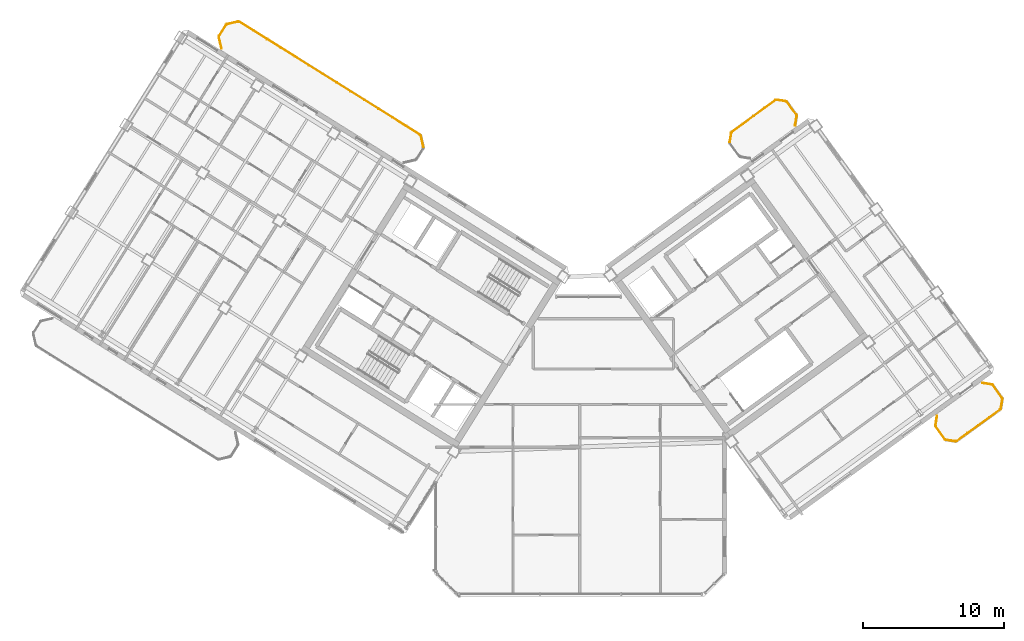
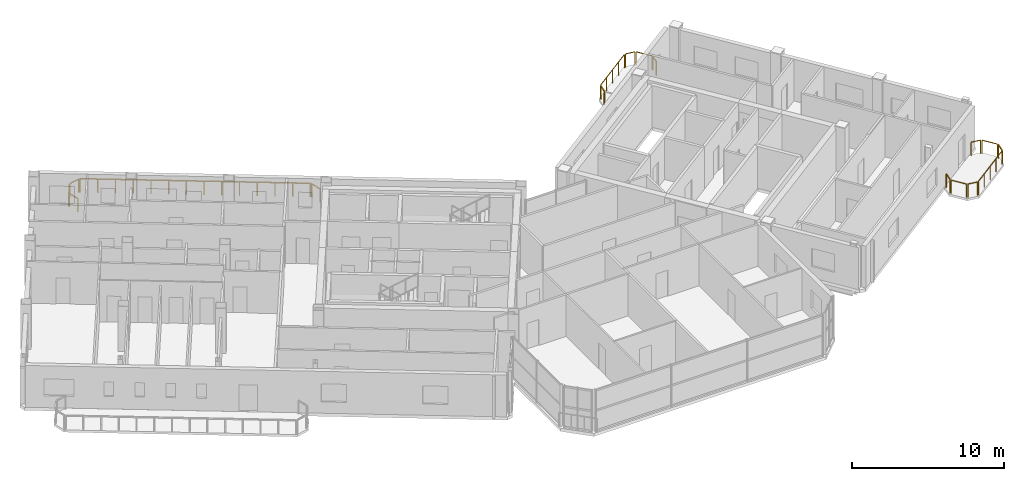
# One storey, part 25 of 25: 17 railings.
"""IFC4 building model written with IfcOpenShell, lengths in metres."""

from ifc_helpers import new_model, si_unit, direction, frame, origin, origin_2d, place, context, subcontext, project, spatial, rectangle, extrude, source, transform, mapped, material, type_object, element, save


model = new_model("IFC4")

# Units and contexts
model_context = context("Model", 3, precision=1e-05, world=origin(), true_north=direction((0.0, 1.0)))
body_context = subcontext(model_context, "Body", "Model", "MODEL_VIEW")
ifc_project = project(units=[si_unit("LENGTHUNIT", "METRE"), si_unit("AREAUNIT", "SQUARE_METRE"), si_unit("VOLUMEUNIT", "CUBIC_METRE"), si_unit("PLANEANGLEUNIT", "RADIAN"), si_unit("MASSUNIT", "GRAM", prefix="KILO")], contexts=[model_context])

# Site, building, storey
site_placement = place(None, origin())
site = spatial("IfcSite", under=ifc_project, at=site_placement, CompositionType="ELEMENT")
building_placement = place(site_placement, origin())
building = spatial("IfcBuilding", under=site, at=building_placement, Name="Tlacorven Tower", CompositionType="ELEMENT")
storey_placement = place(building_placement, frame((0.0, 0.0, 259.199951171875)))
storey = spatial("IfcBuildingStorey", under=building, at=storey_placement, Name="L65", CompositionType="ELEMENT", Elevation=259.199951171875)

# Railings
ifc_material = material(Name="Aluminium and painted steel balustrade", Category="steel")
railing_type = type_object("IfcRailingType", Name="RL-BAL-1100", PredefinedType="BALUSTRADE", material=ifc_material)
shared_shape_1 = source(origin(), body_context, "Body", "SweptSolid", [
    extrude(rectangle(XDim=0.048095703125, YDim=0.048095703125, at=origin_2d()), frame((0.0, 0.0, 1.076171875), z_axis=(0.225058334816, -0.974345290916, 0.0), x_axis=(0.974345290916, 0.225058334816, 0.0)), (0.0, 0.0, 1.0), 0.80712890625),
    extrude(rectangle(XDim=0.0419921875, YDim=0.0419921875, at=origin_2d()), origin(), (0.0, 0.0, 1.0), 1.052001953125),
    extrude(rectangle(XDim=0.0419921875, YDim=0.0419921875, at=origin_2d()), frame((0.181640625, -0.786376953125, 0.0)), (0.0, 0.0, 1.0), 1.052001953125),
])
railing_1_placement = place(storey_placement, frame((30.6796875, 34.466064453125, 0.0)))
element("IfcRailing", 1, at=railing_1_placement, inside=storey, type_object=railing_type, Name="BAL-L65-W-IN Guard Railing 1", PredefinedType="BALUSTRADE", context=body_context, shape_type="MappedRepresentation", body=[
    mapped(shared_shape_1, transform((0.0, 0.0, 0.0), scale=1.0)),
])
shared_shape_2 = source(origin(), body_context, "Body", "SweptSolid", [
    extrude(rectangle(XDim=0.048095703125, YDim=0.048095703125, at=origin_2d()), frame((0.0, 0.0, 1.076171875), z_axis=(-0.225058334816, 0.974345290916, 0.0), x_axis=(-0.974345290916, -0.225058334816, 0.0)), (0.0, 0.0, 1.0), 0.80712890625),
    extrude(rectangle(XDim=0.0419921875, YDim=0.0419921875, at=origin_2d()), origin(), (0.0, 0.0, 1.0), 1.052001953125),
    extrude(rectangle(XDim=0.0419921875, YDim=0.0419921875, at=origin_2d()), frame((-0.181640625, 0.786376953125, 0.0)), (0.0, 0.0, 1.0), 1.052001953125),
])
railing_2_placement = place(storey_placement, frame((16.5361328125, 40.68115234375, 0.0)))
element("IfcRailing", 2, at=railing_2_placement, inside=storey, type_object=railing_type, Name="BAL-L65-W-IN Guard Railing 4", PredefinedType="BALUSTRADE", context=body_context, shape_type="MappedRepresentation", body=[
    mapped(shared_shape_2, transform((0.0, 0.0, 0.0), scale=1.0)),
])
shared_shape_3 = source(origin(), body_context, "Body", "SweptSolid", [
    extrude(rectangle(XDim=0.048095703125, YDim=0.048095703125, at=origin_2d()), frame((0.0, 0.0, 1.076171875), z_axis=(0.52987865805, 0.848073468364, 0.0), x_axis=(-0.848073468364, 0.52987865805, 0.0)), (0.0, 0.0, 1.0), 0.912353515625),
    extrude(rectangle(XDim=0.0419921875, YDim=0.0419921875, at=origin_2d()), origin(), (0.0, 0.0, 1.0), 1.052001953125),
    extrude(rectangle(XDim=0.0419921875, YDim=0.0419921875, at=origin_2d()), frame((0.4833984375, 0.773681640625, 0.0)), (0.0, 0.0, 1.0), 1.052001953125),
])
railing_3_placement = place(storey_placement, frame((16.369873046875, 41.55859375, 0.0)))
element("IfcRailing", 3, at=railing_3_placement, inside=storey, type_object=railing_type, Name="BAL-L65-W-IN Guard Railing 5", PredefinedType="BALUSTRADE", context=body_context, shape_type="MappedRepresentation", body=[
    mapped(shared_shape_3, transform((0.0, 0.0, 0.0), scale=1.0)),
])
shared_shape_4 = source(origin(), body_context, "Body", "SweptSolid", [
    extrude(rectangle(XDim=0.048095703125, YDim=0.048095703125, at=origin_2d()), frame((0.0, 0.0, 1.076171875), z_axis=(0.974411586182, 0.224771129628, 0.0), x_axis=(-0.224771129628, 0.974411586182, 0.0)), (0.0, 0.0, 1.0), 0.80712890625),
    extrude(rectangle(XDim=0.0419921875, YDim=0.0419921875, at=origin_2d()), origin(), (0.0, 0.0, 1.0), 1.052001953125),
    extrude(rectangle(XDim=0.0419921875, YDim=0.0419921875, at=origin_2d()), frame((0.786376953125, 0.181396484375, 0.0)), (0.0, 0.0, 1.0), 1.052001953125),
])
railing_4_placement = place(storey_placement, frame((16.928466796875, 42.385986328125, 0.0)))
element("IfcRailing", 4, at=railing_4_placement, inside=storey, type_object=railing_type, Name="BAL-L65-W-IN Guard Railing 6", PredefinedType="BALUSTRADE", context=body_context, shape_type="MappedRepresentation", body=[
    mapped(shared_shape_4, transform((0.0, 0.0, 0.0), scale=1.0)),
])
shared_shape_5 = source(origin(), body_context, "Body", "SweptSolid", [
    extrude(rectangle(XDim=0.048095703125, YDim=0.048095703125, at=origin_2d()), frame((0.0, 0.0, 1.076171875), z_axis=(0.848044572804, -0.529924902733, 0.0), x_axis=(0.529924902733, 0.848044572804, 0.0)), (0.0, 0.0, 1.0), 15.1171875),
    extrude(rectangle(XDim=0.0419921875, YDim=0.0419921875, at=origin_2d()), origin(), (0.0, 0.0, 1.0), 1.052001953125),
    extrude(rectangle(XDim=0.0419921875, YDim=0.0419921875, at=origin_2d()), frame((0.986083984375, -0.6162109375, 0.0)), (0.0, 0.0, 1.0), 1.052001953125),
    extrude(rectangle(XDim=0.0419921875, YDim=0.0419921875, at=origin_2d()), frame((1.972412109375, -1.232421875, 0.0)), (0.0, 0.0, 1.0), 1.052001953125),
    extrude(rectangle(XDim=0.0419921875, YDim=0.0419921875, at=origin_2d()), frame((2.95849609375, -1.8486328125, 0.0)), (0.0, 0.0, 1.0), 1.052001953125),
    extrude(rectangle(XDim=0.0419921875, YDim=0.0419921875, at=origin_2d()), frame((3.944580078125, -2.46484375, 0.0)), (0.0, 0.0, 1.0), 1.052001953125),
    extrude(rectangle(XDim=0.0419921875, YDim=0.0419921875, at=origin_2d()), frame((4.930908203125, -3.0810546875, 0.0)), (0.0, 0.0, 1.0), 1.052001953125),
    extrude(rectangle(XDim=0.0419921875, YDim=0.0419921875, at=origin_2d()), frame((5.9169921875, -3.697265625, 0.0)), (0.0, 0.0, 1.0), 1.052001953125),
    extrude(rectangle(XDim=0.0419921875, YDim=0.0419921875, at=origin_2d()), frame((6.903076171875, -4.313720703125, 0.0)), (0.0, 0.0, 1.0), 1.052001953125),
    extrude(rectangle(XDim=0.0419921875, YDim=0.0419921875, at=origin_2d()), frame((7.88916015625, -4.929931640625, 0.0)), (0.0, 0.0, 1.0), 1.052001953125),
    extrude(rectangle(XDim=0.0419921875, YDim=0.0419921875, at=origin_2d()), frame((8.87548828125, -5.546142578125, 0.0)), (0.0, 0.0, 1.0), 1.052001953125),
    extrude(rectangle(XDim=0.0419921875, YDim=0.0419921875, at=origin_2d()), frame((9.861572265625, -6.162353515625, 0.0)), (0.0, 0.0, 1.0), 1.052001953125),
    extrude(rectangle(XDim=0.0419921875, YDim=0.0419921875, at=origin_2d()), frame((10.84765625, -6.778564453125, 0.0)), (0.0, 0.0, 1.0), 1.052001953125),
    extrude(rectangle(XDim=0.0419921875, YDim=0.0419921875, at=origin_2d()), frame((11.833984375, -7.394775390625, 0.0)), (0.0, 0.0, 1.0), 1.052001953125),
    extrude(rectangle(XDim=0.0419921875, YDim=0.0419921875, at=origin_2d()), frame((12.820068359375, -8.010986328125, 0.0)), (0.0, 0.0, 1.0), 1.052001953125),
])
railing_5_placement = place(storey_placement, frame((17.805908203125, 42.55224609375, 0.0)))
element("IfcRailing", 5, at=railing_5_placement, inside=storey, type_object=railing_type, Name="BAL-L65-W-IN Guard Railing 7", PredefinedType="BALUSTRADE", context=body_context, shape_type="MappedRepresentation", body=[
    mapped(shared_shape_5, transform((0.0, 0.0, 0.0), scale=1.0)),
])
shared_shape_6 = source(origin(), body_context, "Body", "SweptSolid", [
    extrude(rectangle(XDim=0.048095703125, YDim=0.048095703125, at=origin_2d()), frame((0.0, 0.0, 1.076171875), z_axis=(-0.987661653326, 0.156602868908, 0.0), x_axis=(-0.156602868908, -0.987661653326, 0.0)), (0.0, 0.0, 1.0), 0.665771484375),
    extrude(rectangle(XDim=0.0419921875, YDim=0.0419921875, at=origin_2d()), origin(), (0.0, 0.0, 1.0), 1.052001953125),
    extrude(rectangle(XDim=0.0419921875, YDim=0.0419921875, at=origin_2d()), frame((-0.657470703125, 0.104248046875, 0.0)), (0.0, 0.0, 1.0), 1.052001953125),
])
railing_6_placement = place(storey_placement, frame((68.59521484375, 12.7919921875, 0.0)))
element("IfcRailing", 6, at=railing_6_placement, inside=storey, type_object=railing_type, Name="BAL-L65-E-OUT Guard Railing 1", PredefinedType="BALUSTRADE", context=body_context, shape_type="MappedRepresentation", body=[
    mapped(shared_shape_6, transform((0.0, 0.0, 0.0), scale=1.0)),
])
shared_shape_7 = source(origin(), body_context, "Body", "SweptSolid", [
    extrude(rectangle(XDim=0.048095703125, YDim=0.048095703125, at=origin_2d()), frame((0.0, 0.0, 1.076171875), z_axis=(-0.58788449985, 0.808944877501, 0.0), x_axis=(-0.808944877501, -0.58788449985, 0.0)), (0.0, 0.0, 1.0), 1.112060546875),
    extrude(rectangle(XDim=0.0419921875, YDim=0.0419921875, at=origin_2d()), origin(), (0.0, 0.0, 1.0), 1.052001953125),
    extrude(rectangle(XDim=0.0419921875, YDim=0.0419921875, at=origin_2d()), frame((-0.65380859375, 0.899658203125, 0.0)), (0.0, 0.0, 1.0), 1.052001953125),
])
railing_7_placement = place(storey_placement, frame((67.85888671875, 12.944580078125, 0.0)))
element("IfcRailing", 7, at=railing_7_placement, inside=storey, type_object=railing_type, Name="BAL-L65-E-OUT Guard Railing 2", PredefinedType="BALUSTRADE", context=body_context, shape_type="MappedRepresentation", body=[
    mapped(shared_shape_7, transform((0.0, 0.0, 0.0), scale=1.0)),
])
shared_shape_8 = source(origin(), body_context, "Body", "SweptSolid", [
    extrude(rectangle(XDim=0.048095703125, YDim=0.048095703125, at=origin_2d()), frame((0.0, 0.0, 1.076171875), z_axis=(0.156602868908, 0.987661653326, 0.0), x_axis=(-0.987661653326, 0.156602868908, 0.0)), (0.0, 0.0, 1.0), 0.665771484375),
    extrude(rectangle(XDim=0.0419921875, YDim=0.0419921875, at=origin_2d()), origin(), (0.0, 0.0, 1.0), 1.052001953125),
    extrude(rectangle(XDim=0.0419921875, YDim=0.0419921875, at=origin_2d()), frame((0.104248046875, 0.657470703125, 0.0)), (0.0, 0.0, 1.0), 1.052001953125),
])
railing_8_placement = place(storey_placement, frame((67.18359375, 13.93408203125, 0.0)))
element("IfcRailing", 8, at=railing_8_placement, inside=storey, type_object=railing_type, Name="BAL-L65-E-OUT Guard Railing 3", PredefinedType="BALUSTRADE", context=body_context, shape_type="MappedRepresentation", body=[
    mapped(shared_shape_8, transform((0.0, 0.0, 0.0), scale=1.0)),
])
shared_shape_9 = source(origin(), body_context, "Body", "SweptSolid", [
    extrude(rectangle(XDim=0.048095703125, YDim=0.048095703125, at=origin_2d()), frame((0.0, 0.0, 1.076171875), z_axis=(0.987718317463, -0.156245081039, 0.0), x_axis=(0.156245081039, 0.987718317463, 0.0)), (0.0, 0.0, 1.0), 0.66552734375),
    extrude(rectangle(XDim=0.0419921875, YDim=0.0419921875, at=origin_2d()), origin(), (0.0, 0.0, 1.0), 1.052001953125),
    extrude(rectangle(XDim=0.0419921875, YDim=0.0419921875, at=origin_2d()), frame((0.657470703125, -0.10400390625, 0.0)), (0.0, 0.0, 1.0), 1.052001953125),
])
railing_9_placement = place(storey_placement, frame((70.513916015625, 16.935546875, 0.0)))
element("IfcRailing", 9, at=railing_9_placement, inside=storey, type_object=railing_type, Name="BAL-L65-E-OUT Guard Railing 4", PredefinedType="BALUSTRADE", context=body_context, shape_type="MappedRepresentation", body=[
    mapped(shared_shape_9, transform((0.0, 0.0, 0.0), scale=1.0)),
])
shared_shape_10 = source(origin(), body_context, "Body", "SweptSolid", [
    extrude(rectangle(XDim=0.048095703125, YDim=0.048095703125, at=origin_2d()), frame((0.0, 0.0, 1.076171875), z_axis=(0.58788449985, -0.808944877501, 0.0), x_axis=(0.808944877501, 0.58788449985, 0.0)), (0.0, 0.0, 1.0), 1.112060546875),
    extrude(rectangle(XDim=0.0419921875, YDim=0.0419921875, at=origin_2d()), origin(), (0.0, 0.0, 1.0), 1.052001953125),
    extrude(rectangle(XDim=0.0419921875, YDim=0.0419921875, at=origin_2d()), frame((0.65380859375, -0.899658203125, 0.0)), (0.0, 0.0, 1.0), 1.052001953125),
])
for number, where, name in (
    (10, (71.250244140625, 16.783203125, 0.0), "BAL-L65-E-OUT Guard Railing 5"),
    (11, (56.658447265625, 36.866943359375, 0.0), "BAL-L65-E-IN Guard Railing 6"),
):
    element("IfcRailing", number, at=place(storey_placement, frame(where)), inside=storey, type_object=railing_type, Name=name, PredefinedType="BALUSTRADE", context=body_context, shape_type="MappedRepresentation", body=[
        mapped(shared_shape_10, transform((0.0, 0.0, 0.0), scale=1.0)),
    ])
shared_shape_11 = source(origin(), body_context, "Body", "SweptSolid", [
    extrude(rectangle(XDim=0.048095703125, YDim=0.048095703125, at=origin_2d()), frame((0.0, 0.0, 1.076171875), z_axis=(-0.156188498702, -0.987727266442, 0.0), x_axis=(0.987727266442, -0.156188498702, 0.0)), (0.0, 0.0, 1.0), 0.665771484375),
    extrude(rectangle(XDim=0.0419921875, YDim=0.0419921875, at=origin_2d()), origin(), (0.0, 0.0, 1.0), 1.052001953125),
    extrude(rectangle(XDim=0.0419921875, YDim=0.0419921875, at=origin_2d()), frame((-0.10400390625, -0.65771484375, 0.0)), (0.0, 0.0, 1.0), 1.052001953125),
])
railing_10_placement = place(storey_placement, frame((71.925537109375, 15.793701171875, 0.0)))
element("IfcRailing", 12, at=railing_10_placement, inside=storey, type_object=railing_type, Name="BAL-L65-E-OUT Guard Railing 6", PredefinedType="BALUSTRADE", context=body_context, shape_type="MappedRepresentation", body=[
    mapped(shared_shape_11, transform((0.0, 0.0, 0.0), scale=1.0)),
])
shared_shape_12 = source(origin(), body_context, "Body", "SweptSolid", [
    extrude(rectangle(XDim=0.048095703125, YDim=0.048095703125, at=origin_2d()), frame((0.0, 0.0, 1.076171875), z_axis=(-0.809018102573, -0.587783726986, 0.0), x_axis=(0.587783726986, -0.809018102573, 0.0)), (0.0, 0.0, 1.0), 3.817138671875),
    extrude(rectangle(XDim=0.0419921875, YDim=0.0419921875, at=origin_2d()), origin(), (0.0, 0.0, 1.0), 1.052001953125),
    extrude(rectangle(XDim=0.0419921875, YDim=0.0419921875, at=origin_2d()), frame((-0.77197265625, -0.56103515625, 0.0)), (0.0, 0.0, 1.0), 1.052001953125),
    extrude(rectangle(XDim=0.0419921875, YDim=0.0419921875, at=origin_2d()), frame((-1.5439453125, -1.121826171875, 0.0)), (0.0, 0.0, 1.0), 1.052001953125),
    extrude(rectangle(XDim=0.0419921875, YDim=0.0419921875, at=origin_2d()), frame((-2.316162109375, -1.6826171875, 0.0)), (0.0, 0.0, 1.0), 1.052001953125),
    extrude(rectangle(XDim=0.0419921875, YDim=0.0419921875, at=origin_2d()), frame((-3.088134765625, -2.24365234375, 0.0)), (0.0, 0.0, 1.0), 1.052001953125),
])
railing_11_placement = place(storey_placement, frame((71.773193359375, 15.057373046875, 0.0)))
element("IfcRailing", 13, at=railing_11_placement, inside=storey, type_object=railing_type, Name="BAL-L65-E-OUT Guard Railing 7", PredefinedType="BALUSTRADE", context=body_context, shape_type="MappedRepresentation", body=[
    mapped(shared_shape_12, transform((0.0, 0.0, 0.0), scale=1.0)),
])
shared_shape_13 = source(origin(), body_context, "Body", "SweptSolid", [
    extrude(rectangle(XDim=0.048095703125, YDim=0.048095703125, at=origin_2d()), frame((0.0, 0.0, 1.076171875), z_axis=(0.156546163506, 0.987670642822, 0.0), x_axis=(-0.987670642822, 0.156546163506, 0.0)), (0.0, 0.0, 1.0), 0.666015625),
    extrude(rectangle(XDim=0.0419921875, YDim=0.0419921875, at=origin_2d()), origin(), (0.0, 0.0, 1.0), 1.052001953125),
    extrude(rectangle(XDim=0.0419921875, YDim=0.0419921875, at=origin_2d()), frame((0.104248046875, 0.65771484375, 0.0)), (0.0, 0.0, 1.0), 1.052001953125),
])
railing_12_placement = place(storey_placement, frame((52.591796875, 34.017822265625, 0.0)))
element("IfcRailing", 14, at=railing_12_placement, inside=storey, type_object=railing_type, Name="BAL-L65-E-IN Guard Railing 3", PredefinedType="BALUSTRADE", context=body_context, shape_type="MappedRepresentation", body=[
    mapped(shared_shape_13, transform((0.0, 0.0, 0.0), scale=1.0)),
])
shared_shape_14 = source(origin(), body_context, "Body", "SweptSolid", [
    extrude(rectangle(XDim=0.048095703125, YDim=0.048095703125, at=origin_2d()), frame((0.0, 0.0, 1.076171875), z_axis=(0.809040198054, 0.587753313843, 0.0), x_axis=(-0.587753313843, 0.809040198054, 0.0)), (0.0, 0.0, 1.0), 3.8173828125),
    extrude(rectangle(XDim=0.0419921875, YDim=0.0419921875, at=origin_2d()), origin(), (0.0, 0.0, 1.0), 1.052001953125),
    extrude(rectangle(XDim=0.0419921875, YDim=0.0419921875, at=origin_2d()), frame((0.77197265625, 0.56103515625, 0.0)), (0.0, 0.0, 1.0), 1.052001953125),
    extrude(rectangle(XDim=0.0419921875, YDim=0.0419921875, at=origin_2d()), frame((1.544189453125, 1.121826171875, 0.0)), (0.0, 0.0, 1.0), 1.052001953125),
    extrude(rectangle(XDim=0.0419921875, YDim=0.0419921875, at=origin_2d()), frame((2.31640625, 1.6826171875, 0.0)), (0.0, 0.0, 1.0), 1.052001953125),
    extrude(rectangle(XDim=0.0419921875, YDim=0.0419921875, at=origin_2d()), frame((3.08837890625, 2.24365234375, 0.0)), (0.0, 0.0, 1.0), 1.052001953125),
])
railing_13_placement = place(storey_placement, frame((52.744140625, 34.754150390625, 0.0)))
element("IfcRailing", 15, at=railing_13_placement, inside=storey, type_object=railing_type, Name="BAL-L65-E-IN Guard Railing 4", PredefinedType="BALUSTRADE", context=body_context, shape_type="MappedRepresentation", body=[
    mapped(shared_shape_14, transform((0.0, 0.0, 0.0), scale=1.0)),
])
shared_shape_15 = source(origin(), body_context, "Body", "SweptSolid", [
    extrude(rectangle(XDim=0.048095703125, YDim=0.048095703125, at=origin_2d()), frame((0.0, 0.0, 1.076171875), z_axis=(0.987670642822, -0.156546163506, 0.0), x_axis=(0.156546163506, 0.987670642822, 0.0)), (0.0, 0.0, 1.0), 0.666015625),
    extrude(rectangle(XDim=0.0419921875, YDim=0.0419921875, at=origin_2d()), origin(), (0.0, 0.0, 1.0), 1.052001953125),
    extrude(rectangle(XDim=0.0419921875, YDim=0.0419921875, at=origin_2d()), frame((0.65771484375, -0.104248046875, 0.0)), (0.0, 0.0, 1.0), 1.052001953125),
])
railing_14_placement = place(storey_placement, frame((55.922119140625, 37.01953125, 0.0)))
element("IfcRailing", 16, at=railing_14_placement, inside=storey, type_object=railing_type, Name="BAL-L65-E-IN Guard Railing 5", PredefinedType="BALUSTRADE", context=body_context, shape_type="MappedRepresentation", body=[
    mapped(shared_shape_15, transform((0.0, 0.0, 0.0), scale=1.0)),
])
shared_shape_16 = source(origin(), body_context, "Body", "SweptSolid", [
    extrude(rectangle(XDim=0.048095703125, YDim=0.048095703125, at=origin_2d()), frame((0.0, 0.0, 1.076171875), z_axis=(-0.156245081039, -0.987718317463, 0.0), x_axis=(0.987718317463, -0.156245081039, 0.0)), (0.0, 0.0, 1.0), 0.66552734375),
    extrude(rectangle(XDim=0.0419921875, YDim=0.0419921875, at=origin_2d()), origin(), (0.0, 0.0, 1.0), 1.052001953125),
    extrude(rectangle(XDim=0.0419921875, YDim=0.0419921875, at=origin_2d()), frame((-0.10400390625, -0.657470703125, 0.0)), (0.0, 0.0, 1.0), 1.052001953125),
])
railing_15_placement = place(storey_placement, frame((57.333740234375, 35.87744140625, 0.0)))
element("IfcRailing", 17, at=railing_15_placement, inside=storey, type_object=railing_type, Name="BAL-L65-E-IN Guard Railing 7", PredefinedType="BALUSTRADE", context=body_context, shape_type="MappedRepresentation", body=[
    mapped(shared_shape_16, transform((0.0, 0.0, 0.0), scale=1.0)),
])

save(model, "model.ifc")
